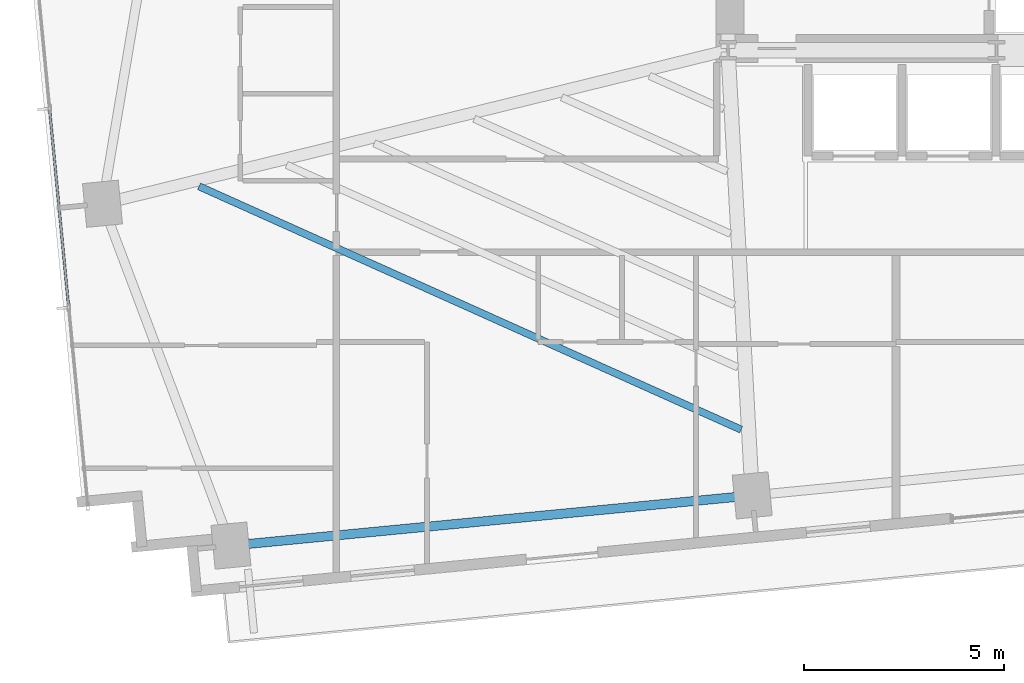
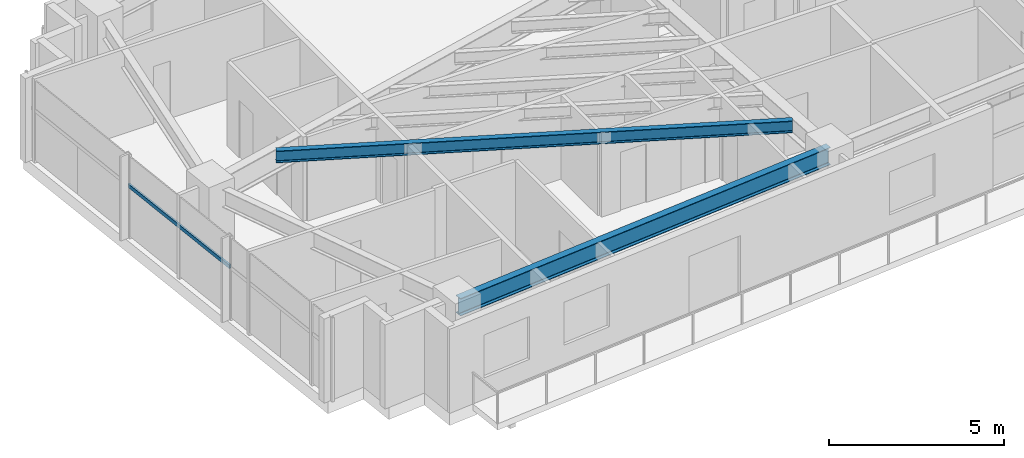
# One storey, part 3 of 25: 2 beams, 1 member, 1 element without a shape of its own.
"""IFC4 building model written with IfcOpenShell, lengths in metres."""

from ifc_helpers import new_model, si_unit, direction, frame, origin, origin_2d, place, context, subcontext, project, spatial, hollow_rectangle, i_section, extrude, source, transform, mapped, material, material_profile, profile_set, type_object, type_shapes, element, aggregate, save


model = new_model("IFC4")

# Units and contexts
model_context = context("Model", 3, precision=1e-05, world=origin(), true_north=direction((0.0, 1.0)))
body_context = subcontext(model_context, "Body", "Model", "MODEL_VIEW")
ifc_project = project(units=[si_unit("LENGTHUNIT", "METRE"), si_unit("AREAUNIT", "SQUARE_METRE"), si_unit("VOLUMEUNIT", "CUBIC_METRE"), si_unit("PLANEANGLEUNIT", "RADIAN"), si_unit("MASSUNIT", "GRAM", prefix="KILO")], contexts=[model_context])

# Site, building, storey
site_placement = place(None, origin())
site = spatial("IfcSite", under=ifc_project, at=site_placement, CompositionType="ELEMENT")
building_placement = place(site_placement, origin())
building = spatial("IfcBuilding", under=site, at=building_placement, Name="Astriad Promenade Condominiums", CompositionType="ELEMENT")
storey_placement = place(building_placement, frame((0.0, 0.0, 77.800048828125)))
storey = spatial("IfcBuildingStorey", under=building, at=storey_placement, Name="L21", CompositionType="ELEMENT", Elevation=77.800048828125)

# Beams
ifc_material_1 = material(Name="Steel ASTM A992 Grade 50", Category="steel")
ifc_material_profile_1 = material_profile(ifc_material_1, i_section(OverallWidth=0.22900390625, OverallDepth=0.612060546875, WebThickness=0.011962890625, FlangeThickness=0.01953125, FilletRadius=0.017822265625, at=origin_2d()), Name="W24X84")
ifc_profile_set_1 = profile_set([ifc_material_profile_1], Name="Steel ASTM A992 Grade 50")
beam_type_1 = type_object("IfcBeamType", Name="STEEL SPANDREL BEAM W24X84", PredefinedType="SPANDREL", material=ifc_profile_set_1)
shared_shape_1 = source(origin(), body_context, "Body", "SweptSolid", [
    extrude(i_section(OverallWidth=0.22900390625, OverallDepth=0.612060546875, WebThickness=0.011962890625, FlangeThickness=0.01953125, FilletRadius=0.017822265625, at=origin_2d()), origin(), (0.0, 0.0, 1.0), 13.02001953125),
])
type_shapes(beam_type_1, [shared_shape_1])
beam_1_placement = place(storey_placement, frame((14.005859375, 5.01318359375, 2.6337890625), z_axis=(0.995395138946, 0.095856754395, 0.0), x_axis=(-0.095856754395, 0.995395138946, 0.0)))
element("IfcBeam", 1, at=beam_1_placement, inside=storey, type_object=beam_type_1, Name="Perimeter Spandrel Beam SP-S1-L21", PredefinedType="SPANDREL", context=body_context, shape_type="MappedRepresentation", body=[
    mapped(shared_shape_1, transform((0.0, 0.0, 0.0), scale=1.0)),
])
ifc_material_profile_2 = material_profile(ifc_material_1, i_section(OverallWidth=0.180908203125, OverallDepth=0.417236328125, WebThickness=0.010986328125, FlangeThickness=0.018310546875, FilletRadius=0.013916015625, at=origin_2d()), Name="W16X57")
ifc_profile_set_2 = profile_set([ifc_material_profile_2], Name="Steel ASTM A992 Grade 50")
beam_type_2 = type_object("IfcBeamType", Name="STEEL FLOOR JOIST W16X57", PredefinedType="JOIST", material=ifc_profile_set_2)
shared_shape_2 = source(origin(), body_context, "Body", "SweptSolid", [
    extrude(i_section(OverallWidth=0.180908203125, OverallDepth=0.417236328125, WebThickness=0.010986328125, FlangeThickness=0.018310546875, FilletRadius=0.013916015625, at=origin_2d()), origin(), (0.0, 0.0, 1.0), 14.863037109375),
])
type_shapes(beam_type_2, [shared_shape_2])
beam_2_placement = place(storey_placement, frame((13.168212890625, 13.996826171875, 2.731201171875), z_axis=(0.912311114602, -0.409497777984, 0.0), x_axis=(0.409497777984, 0.912311114602, 0.0)))
element("IfcBeam", 2, at=beam_2_placement, inside=storey, type_object=beam_type_2, Name="Secondary Composite Floor Joist JW1-1-L21", PredefinedType="JOIST", context=body_context, shape_type="MappedRepresentation", body=[
    mapped(shared_shape_2, transform((0.0, 0.0, 0.0), scale=1.0)),
])

# Curtain wall, member
ifc_material_2 = material(Name="Anodised aluminium Black Dark Glass Unitised", Category="aluminium")
curtain_wall_type = type_object("IfcCurtainWallType", Name="CW-B2-DARK", PredefinedType="USERDEFINED", material=ifc_material_2)
curtain_wall_placement = place(storey_placement, origin())
curtain_wall = element("IfcCurtainWall", 3, at=curtain_wall_placement, inside=storey, type_object=curtain_wall_type, Name="CW-L21-W", ObjectType="UNITISED_CURTAIN_WALL", PredefinedType="USERDEFINED")
ifc_material_3 = material(Name="Anodised aluminium 6063-T6 Black", Category="aluminium")
ifc_material_profile_3 = material_profile(ifc_material_3, hollow_rectangle(XDim=0.06494140625, YDim=0.1298828125, WallThickness=0.00390625, at=origin_2d()), Name="ALU-TRN-65X130")
ifc_profile_set_3 = profile_set([ifc_material_profile_3], Name="Anodised aluminium 6063-T6 Black")
member_type = type_object("IfcMemberType", Name="TRN-ALU-TRN-65X130", PredefinedType="USERDEFINED", material=ifc_profile_set_3)
shared_shape_3 = source(origin(), body_context, "Body", "SweptSolid", [
    extrude(hollow_rectangle(XDim=0.06494140625, YDim=0.1298828125, WallThickness=0.00390625, at=origin_2d()), origin(), (0.0, 0.0, 1.0), 5.0),
])
type_shapes(member_type, [shared_shape_3])
member_placement = place(storey_placement, frame((9.90625, 10.9677734375, 1.82275390625), z_axis=(-0.095848242264, 0.995395958629, 0.0), x_axis=(-0.995395958629, -0.095848242264, 0.0)))
member = element("IfcMember", 4, at=member_placement, type_object=member_type, Name="CW-L21-W-TRN-01-0", ObjectType="TRANSOM", PredefinedType="USERDEFINED", context=body_context, shape_type="MappedRepresentation", body=[
    mapped(shared_shape_3, transform((0.0, 0.0, 0.0), scale=1.0)),
])
aggregate(curtain_wall, [member])

save(model, "model.ifc")
